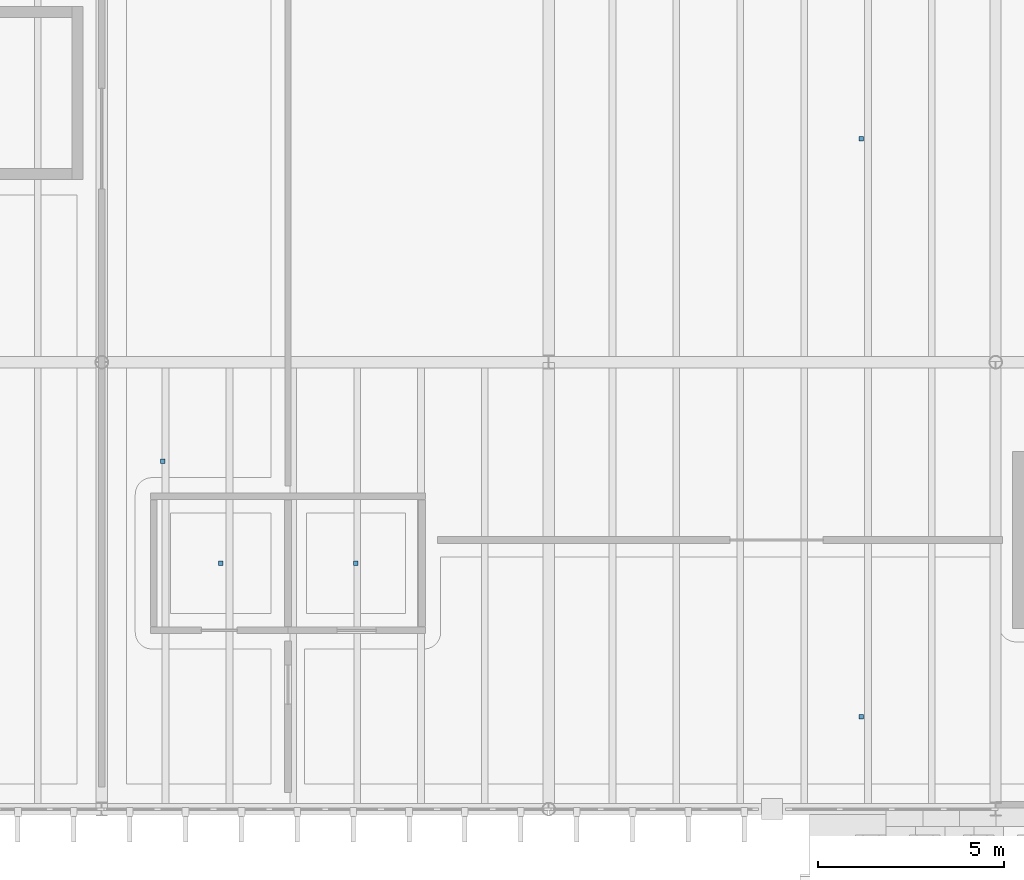
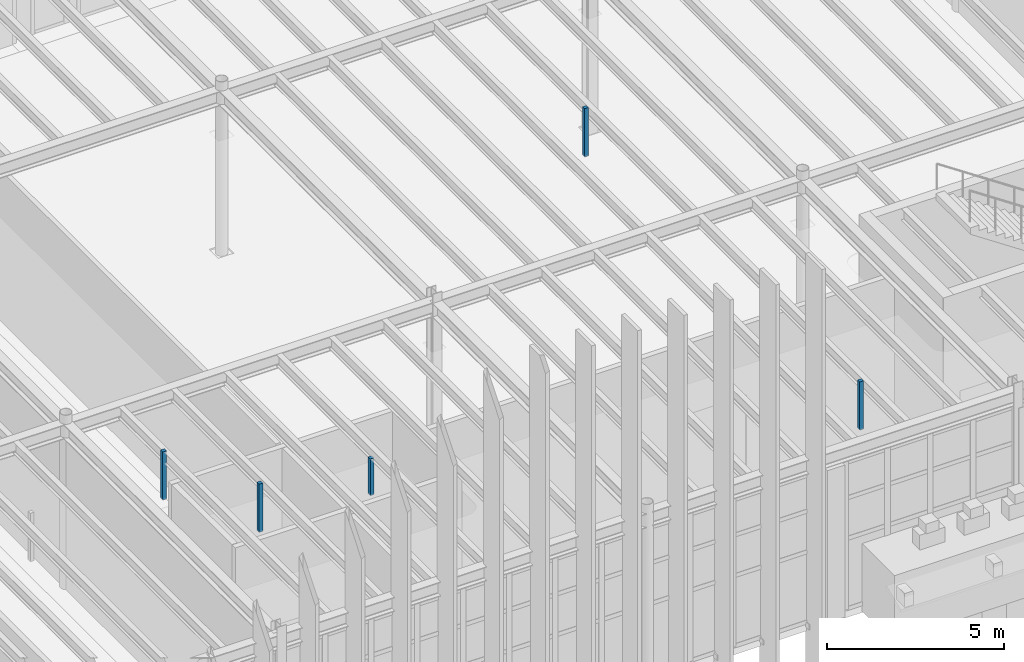
# One storey, part 53 of 83: 5 discrete accessories.
"""IFC4 building model written with IfcOpenShell, lengths in metres."""

import ifcopenshell
import ifcopenshell.guid

model = None  # the IFC model being written
_history = None  # IfcOwnerHistory: only IFC2X3 demands one
_inside = {}  # id of a spatial element -> (the spatial element, [elements in it])
_under = {}  # id of a project, library or spatial element -> (it, [spatial elements below it])
_declared = {}  # id of a project -> (the project, [libraries it declares])
_typed = {}  # id of a type object -> (the type object, [elements of that type])
_made_of = {}  # id of a material, layer set ... -> (it, [elements and type objects made of it])


def new_model(schema):
    """Start an empty IFC model of exactly this schema.

    Asked for "IFC4X3", IfcOpenShell would pick the latest addendum, in which some entities
    have other attributes; the version numbers below select the first issue.
    IFC2X3 requires an IfcOwnerHistory on every rooted entity: one is made here for all.
    """
    global model, _history
    if schema == "IFC4X3":
        model = ifcopenshell.file(schema_version=(4, 3, 0, 0))
    else:
        model = ifcopenshell.file(schema=schema)
    _inside.clear()
    _under.clear()
    _declared.clear()
    _typed.clear()
    _made_of.clear()
    _history = None
    if model.schema == "IFC2X3":
        org = make("IfcOrganization", Name="unknown")
        user = make(
            "IfcPersonAndOrganization",
            ThePerson=make("IfcPerson", FamilyName="unknown"),
            TheOrganization=org,
        )
        app = make(
            "IfcApplication",
            ApplicationDeveloper=org,
            Version="unknown",
            ApplicationFullName="unknown",
            ApplicationIdentifier="unknown",
        )
        _history = make(
            "IfcOwnerHistory",
            OwningUser=user,
            OwningApplication=app,
            ChangeAction="ADDED",
            CreationDate=0,
        )
    return model


def make(cls, **values):
    """One entity of the class cls with the attributes given. An attribute that is None is left unset."""
    return model.create_entity(
        cls, **{name: value for name, value in values.items() if value is not None}
    )


def rooted(cls, **values):
    """An entity with a GlobalId (a new one), such as an element, a storey or a relation."""
    return make(cls, GlobalId=ifcopenshell.guid.new(), OwnerHistory=_history, **values)


def si_unit(unit_type, name, prefix=None):
    """IfcSIUnit, for example si_unit("LENGTHUNIT", "METRE", prefix="MILLI")."""
    return make("IfcSIUnit", UnitType=unit_type, Prefix=prefix, Name=name)


def assignment(units):
    """IfcUnitAssignment: the units of a project."""
    return None if units is None else make("IfcUnitAssignment", Units=units)


def point(xyz):
    """IfcCartesianPoint."""
    return None if xyz is None else make("IfcCartesianPoint", Coordinates=xyz)


def direction(xyz):
    """IfcDirection."""
    return None if xyz is None else make("IfcDirection", DirectionRatios=xyz)


def frame(location, z_axis=None, x_axis=None):
    """IfcAxis2Placement3D, a coordinate frame: its origin and axes. An axis left out is left unset."""
    return make(
        "IfcAxis2Placement3D",
        Location=point(location),
        Axis=direction(z_axis),
        RefDirection=direction(x_axis),
    )


def frame_2d(location, x_axis=None):
    """IfcAxis2Placement2D, a coordinate frame in the plane: its origin and x axis."""
    return make(
        "IfcAxis2Placement2D", Location=point(location), RefDirection=direction(x_axis)
    )


def origin():
    """The frame at (0, 0, 0) with its axes left unset."""
    return frame((0.0, 0.0, 0.0))


def origin_2d():
    """The frame at (0, 0) in the plane with its x axis left unset."""
    return frame_2d((0.0, 0.0))


def place(relative_to, where):
    """IfcLocalPlacement: puts the frame where relative to a parent placement (None: the world)."""
    return make(
        "IfcLocalPlacement", PlacementRelTo=relative_to, RelativePlacement=where
    )


def context(
    kind, dimensions, precision=None, world=None, true_north=None, identifier=None
):
    """IfcGeometricRepresentationContext, for example the 3D "Model" context."""
    return make(
        "IfcGeometricRepresentationContext",
        ContextIdentifier=identifier,
        ContextType=kind,
        CoordinateSpaceDimension=dimensions,
        Precision=precision,
        WorldCoordinateSystem=world,
        TrueNorth=true_north,
    )


def subcontext(parent, identifier, kind, view, scale=None):
    """IfcGeometricRepresentationSubContext, for example "Body" below "Model"."""
    return make(
        "IfcGeometricRepresentationSubContext",
        ContextIdentifier=identifier,
        ContextType=kind,
        ParentContext=parent,
        TargetScale=scale,
        TargetView=view,
    )


def project(units=None, contexts=None):
    """IfcProject with its units and contexts."""
    return rooted(
        "IfcProject",
        Name="project",
        RepresentationContexts=contexts,
        UnitsInContext=assignment(units),
    )


def spatial(cls, under=None, at=None, **own):
    """A site, building, storey or space (cls), placed at a placement, below another one or the project."""
    s = rooted(cls, ObjectPlacement=at, **own)
    if under is not None:
        _under.setdefault(under.id(), (under, []))[1].append(s)
    return s


def profile(cls, at=None, kind="AREA", **sizes):
    """A parametric profile (cls). Its sizes go by their IFC names, for example OverallWidth=200.0."""
    return make(cls, ProfileType=kind, Position=at, **sizes)


def rectangle(**sizes):
    """IfcRectangleProfileDef."""
    return profile("IfcRectangleProfileDef", **sizes)


def extrude(swept, where, along, depth):
    """IfcExtrudedAreaSolid: the profile swept, set in the frame where, extruded along a direction by depth."""
    return make(
        "IfcExtrudedAreaSolid",
        SweptArea=swept,
        Position=where,
        ExtrudedDirection=direction(along),
        Depth=depth,
    )


def shape(context_of_items, identifier, shape_type, items):
    """IfcShapeRepresentation: the items that make up one representation, for example the "Body"."""
    return make(
        "IfcShapeRepresentation",
        ContextOfItems=context_of_items,
        RepresentationIdentifier=identifier,
        RepresentationType=shape_type,
        Items=items,
    )


def material(Name=None, Category=None):
    """IfcMaterial."""
    return make("IfcMaterial", Name=Name, Category=Category)


def made_of(thing, what):
    """Note that an element or type object is made of a material, layer set ...; save() writes the relation."""
    if what is not None:
        _made_of.setdefault(what.id(), (what, []))[1].append(thing)
    return thing


def type_object(cls, material=None, **own):
    """A type object (cls), such as IfcWallType, which elements share."""
    return made_of(rooted(cls, **own), material)


def element(
    cls,
    number,
    at=None,
    inside=None,
    cuts=None,
    type_object=None,
    material=None,
    context=None,
    identifier="Body",
    shape_type=None,
    held_by="IfcProductDefinitionShape",
    body=None,
    shapes=None,
    **own,
):
    """One element of the class cls, such as IfcWall. Its Tag is "e" and its number.

    at: its placement. inside: the storey or other place that contains it. cuts: it is an
    opening in that element (IfcRelVoidsElement). A single representation is given by context,
    identifier, shape_type and body (its items); several are given by shapes. held_by: the class
    of the entity that holds the representations. save() writes the other relations.
    """
    e = rooted(cls, Tag="e%d" % number, ObjectPlacement=at, **own)
    if body is not None:
        shapes = [shape(context, identifier, shape_type, body)]
    if shapes is not None:
        e.Representation = make(held_by, Representations=shapes)
    if inside is not None:
        _inside.setdefault(inside.id(), (inside, []))[1].append(e)
    if cuts is not None:
        rooted(
            "IfcRelVoidsElement", RelatingBuildingElement=cuts, RelatedOpeningElement=e
        )
    if type_object is not None:
        _typed.setdefault(type_object.id(), (type_object, []))[1].append(e)
    return made_of(e, material)


def aggregate(whole, parts):
    """IfcRelAggregates: a whole, such as a stair, and the parts it consists of."""
    return rooted("IfcRelAggregates", RelatingObject=whole, RelatedObjects=parts)


def save(model, path):
    """Write the relations noted so far, then the file.

    IfcRelAggregates (storeys below a building ...), IfcRelContainedInSpatialStructure (elements
    in a storey), IfcRelDefinesByType, IfcRelAssociatesMaterial and IfcRelDeclares: one each for
    every whole, place, type object, material and project.
    """
    for whole, parts in _under.values():
        aggregate(whole, parts)
    for where, things in _inside.values():
        rooted(
            "IfcRelContainedInSpatialStructure",
            RelatedElements=things,
            RelatingStructure=where,
        )
    for kind, things in _typed.values():
        rooted("IfcRelDefinesByType", RelatedObjects=things, RelatingType=kind)
    for what, things in _made_of.values():
        rooted("IfcRelAssociatesMaterial", RelatedObjects=things, RelatingMaterial=what)
    for by, libraries in _declared.values():
        rooted("IfcRelDeclares", RelatingContext=by, RelatedDefinitions=libraries)
    model.write(path)


model = new_model("IFC4")

# Units and contexts
model_context = context("Model", 3, precision=1e-05, world=origin(), true_north=direction((0.0, 1.0)))
body_context = subcontext(model_context, "Body", "Model", "MODEL_VIEW")
ifc_project = project(units=[si_unit("LENGTHUNIT", "METRE"), si_unit("AREAUNIT", "SQUARE_METRE"), si_unit("VOLUMEUNIT", "CUBIC_METRE"), si_unit("PLANEANGLEUNIT", "RADIAN"), si_unit("MASSUNIT", "GRAM", prefix="KILO")], contexts=[model_context])

# Site, building, storey
site_placement = place(None, origin())
site = spatial("IfcSite", under=ifc_project, at=site_placement, CompositionType="ELEMENT")
building_placement = place(site_placement, origin())
building = spatial("IfcBuilding", under=site, at=building_placement, Name="Zlatogorsky Bluff Art Gallery", CompositionType="ELEMENT")
storey_placement = place(building_placement, frame((0.0, 0.0, 10.800048828125)))
storey = spatial("IfcBuildingStorey", under=building, at=storey_placement, Name="L02", CompositionType="ELEMENT", Elevation=10.800048828125)

# Discrete accessories
ifc_material = material(Name="Steel S355", Category="steel")
discrete_accessory_type = type_object("IfcDiscreteAccessoryType", Name="Stainless Facade Fin Bracket BRK-01", PredefinedType="BRACKET", material=ifc_material)
discrete_accessory_1_placement = place(storey_placement, frame((51.199951171875, 90.60009765625, 4.05517578125), z_axis=(0.0, 0.0, 1.0), x_axis=(1.0, 0.0, 0.0)))
element("IfcDiscreteAccessory", 1, at=discrete_accessory_1_placement, inside=storey, type_object=discrete_accessory_type, Name="Acoustic ceiling suspension hanger L02-WC", PredefinedType="BRACKET", context=body_context, shape_type="SweptSolid", body=[
    extrude(rectangle(XDim=0.1201171875, YDim=0.1201171875, at=origin_2d()), origin(), (0.0, 0.0, 1.0), 1.659912109375),
])
discrete_accessory_2_placement = place(storey_placement, frame((54.824951171875, 90.60009765625, 4.05517578125), z_axis=(0.0, 0.0, 1.0), x_axis=(1.0, 0.0, 0.0)))
element("IfcDiscreteAccessory", 2, at=discrete_accessory_2_placement, inside=storey, type_object=discrete_accessory_type, Name="Acoustic ceiling suspension hanger L02-AWC", PredefinedType="BRACKET", context=body_context, shape_type="SweptSolid", body=[
    extrude(rectangle(XDim=0.1201171875, YDim=0.1201171875, at=origin_2d()), origin(), (0.0, 0.0, 1.0), 1.260009765625),
])
for number, where, z_axis, x_axis, name in (
    (3, (49.639892578125, 93.3349609375, 4.05517578125), (0.0, 0.0, 1.0), (1.0, 0.0, 0.0), "Acoustic ceiling suspension hanger L02-G2-11"),
    (4, (68.389892578125, 86.485107421875, 4.05517578125), (0.0, 0.0, 1.0), (1.0, 0.0, 0.0), "Acoustic ceiling suspension hanger L02-G2-12"),
    (5, (68.389892578125, 102.0, 4.05517578125), (0.0, 0.0, 1.0), (1.0, 0.0, 0.0), "Acoustic ceiling suspension hanger L02-G2-13"),
):
    element("IfcDiscreteAccessory", number, at=place(storey_placement, frame(where, z_axis=z_axis, x_axis=x_axis)), inside=storey, type_object=discrete_accessory_type, Name=name, PredefinedType="BRACKET", context=body_context, shape_type="SweptSolid", body=[
        extrude(rectangle(XDim=0.1201171875, YDim=0.1201171875, at=origin_2d()), origin(), (0.0, 0.0, 1.0), 1.659912109375),
    ])

save(model, "model.ifc")
